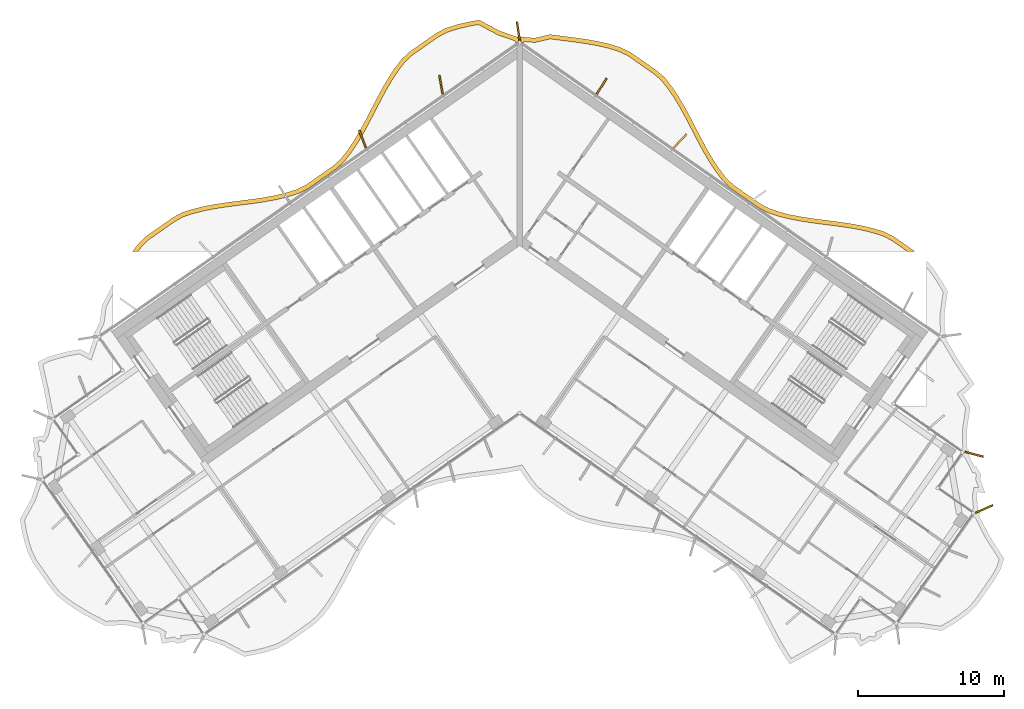
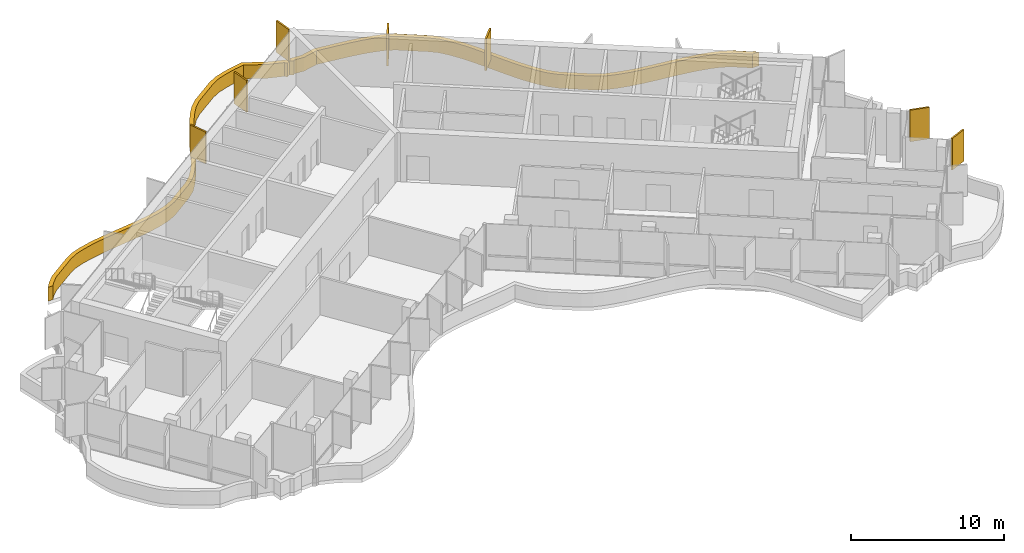
# One storey, part 18 of 18: 8 shading devices.
"""IFC4 building model written with IfcOpenShell, lengths in metres."""

from ifc_helpers import new_model, si_unit, direction, frame, origin, origin_2d, place, context, subcontext, project, spatial, polyline, rectangle, outline, extrude, material, layer, layer_set, type_object, element, save


model = new_model("IFC4")

# Units and contexts
model_context = context("Model", 3, precision=1e-05, world=origin(), true_north=direction((0.0, 1.0)))
body_context = subcontext(model_context, "Body", "Model", "MODEL_VIEW")
ifc_project = project(units=[si_unit("LENGTHUNIT", "METRE"), si_unit("AREAUNIT", "SQUARE_METRE"), si_unit("VOLUMEUNIT", "CUBIC_METRE"), si_unit("PLANEANGLEUNIT", "RADIAN"), si_unit("MASSUNIT", "GRAM", prefix="KILO")], contexts=[model_context])

# Site, building, storey
site_placement = place(None, origin())
site = spatial("IfcSite", under=ifc_project, at=site_placement, CompositionType="ELEMENT")
building_placement = place(site_placement, origin())
building = spatial("IfcBuilding", under=site, at=building_placement, Name="Tel Ilan Convention Tower", CompositionType="ELEMENT")
storey_placement = place(building_placement, frame((0.0, 0.0, 260.5)))
storey = spatial("IfcBuildingStorey", under=building, at=storey_placement, Name="L61", CompositionType="ELEMENT", Elevation=260.5)

# Shading devices
ifc_material_1 = material(Name="Aluminium, bronze anodised", Category="aluminium")
ifc_layer_1 = layer(ifc_material_1, 0.1201171875)
ifc_layer_set_1 = layer_set([ifc_layer_1], Name="FIN BRONZE 1300x120")
shading_device_type_1 = type_object("IfcShadingDeviceType", Name="FIN BRONZE 1300x120", PredefinedType="USERDEFINED", material=ifc_layer_set_1)
for number, where, z_axis, x_axis, name in (
    (1, (10.981201171875, 5.924072265625, 1.10009765625), (0.0, 0.0, 1.0), (0.686241637865, 0.727373641577, 0.0), "FIN"),
    (2, (5.61328125, 9.683349609375, 1.10009765625), (0.0, 0.0, 1.0), (0.533204432798, 0.845986425922, 0.0), "FIN"),
    (3, (-0.09423828125, 13.469482421875, 1.10009765625), (0.0, 0.0, 1.0), (-0.144931859301, 0.989441638582, 0.0), "FIN"),
    (4, (-5.392333984375, 9.791748046875, 1.10009765625), (0.0, 0.0, 1.0), (-0.173648177667, 0.984807753012, 0.0), "FIN"),
    (5, (-10.7724609375, 6.062255859375, 1.10009765625), (0.0, 0.0, 1.0), (-0.360177724803, 0.932883704733, 0.0), "FIN"),
    (6, (31.842529296875, -19.28564453125, 1.10009765625), (0.0, 0.0, 1.0), (0.914332505315, 0.404964282034, 0.0), "FIN"),
    (7, (31.150146484375, -15.536865234375, 1.10009765625), (0.0, 0.0, 1.0), (0.965925826289, -0.258819045103, 0.0), "FIN"),
):
    element("IfcShadingDevice", number, at=place(storey_placement, frame(where, z_axis=z_axis, x_axis=x_axis)), inside=storey, type_object=shading_device_type_1, Name=name, ObjectType="FIN", PredefinedType="USERDEFINED", context=body_context, shape_type="SweptSolid", body=[
        extrude(rectangle(XDim=1.300048828125, YDim=0.1201171875, at=origin_2d()), origin(), (0.0, 0.0, 1.0), 2.52001953125),
    ])
ifc_material_2 = material(Name="Aluminium, bronze anodised", Category="aluminium")
ifc_layer_2 = layer(ifc_material_2, 0.300048828125)
ifc_layer_set_2 = layer_set([ifc_layer_2], Name="LOUVRE BAND 300x1100")
shading_device_type_2 = type_object("IfcShadingDeviceType", Name="LOUVRE BAND 300x1100", PredefinedType="USERDEFINED", material=ifc_layer_set_2)
shading_device_placement = place(storey_placement, origin())
element("IfcShadingDevice", 8, at=shading_device_placement, inside=storey, type_object=shading_device_type_2, Name="LOUVRE BAND 46.02", ObjectType="LOUVRE", PredefinedType="USERDEFINED", context=body_context, shape_type="SweptSolid", body=[
    extrude(outline(polyline([(-26.1787109375, -1.1572265625), (-26.535888671875, -1.631591796875), (-26.160400390625, -1.631591796875), (-25.951416015625, -1.35400390625), (-25.457275390625, -0.856689453125), (-23.680908203125, 0.38720703125), (-23.075439453125, 0.7314453125), (-22.38525390625, 0.962158203125), (-21.640625, 1.14990234375), (-20.86181640625, 1.298828125), (-20.0576171875, 1.420166015625), (-18.409423828125, 1.63232421875), (-17.585205078125, 1.750732421875), (-16.773193359375, 1.89599609375), (-15.982666015625, 2.081298828125), (-15.212646484375, 2.320556640625), (-14.499267578125, 2.665771484375), (-12.656005859375, 3.956298828125), (-12.066162109375, 4.474609375), (-11.566650390625, 5.110107421875), (-11.115234375, 5.78173828125), (-10.696044921875, 6.4892578125), (-10.29931640625, 7.220458984375), (-9.535400390625, 8.69873046875), (-9.148681640625, 9.41796875), (-8.746337890625, 10.106201171875), (-8.320556640625, 10.751220703125), (-7.871337890625, 11.33544921875), (-7.3623046875, 11.813720703125), (-5.585693359375, 13.0576171875), (-4.96826171875, 13.382568359375), (-4.27001953125, 13.607666015625), (-3.520751953125, 13.78955078125), (-2.834228515625, 13.914794921875), (-1.477294921875, 13.19677734375), (-0.362060546875, 12.81201171875), (-0.24609375, 12.646728515625), (0.0, 12.818115234375), (0.24609375, 12.646728515625), (0.318603515625, 12.75), (1.040771484375, 12.687744140625), (2.10400390625, 12.9296875), (3.699462890625, 12.72509765625), (4.510009765625, 12.60986328125), (5.2978515625, 12.47119140625), (6.054443359375, 12.297119140625), (6.765625, 12.080078125), (7.40185546875, 11.785888671875), (9.17822265625, 10.5419921875), (9.708740234375, 10.0908203125), (10.16162109375, 9.521240234375), (10.5927734375, 8.885498046875), (10.9990234375, 8.204833984375), (11.38818359375, 7.49072265625), (12.151123046875, 6.014404296875), (12.54443359375, 5.2802734375), (12.958740234375, 4.567138671875), (13.403076171875, 3.8876953125), (13.891357421875, 3.245849609375), (14.459716796875, 2.693359375), (16.302978515625, 1.40283203125), (16.991455078125, 1.02587890625), (17.759521484375, 0.773681640625), (18.544921875, 0.579345703125), (19.353271484375, 0.42724609375), (20.176025390625, 0.3046875), (21.826416015625, 0.092529296875), (22.634765625, -0.025146484375), (23.4189453125, -0.167724609375), (24.1708984375, -0.34716796875), (24.873291015625, -0.569580078125), (25.496826171875, -0.88427734375), (26.56396484375, -1.631591796875), (27.087158203125, -1.631591796875), (25.6513671875, -0.626220703125), (24.987060546875, -0.290771484375), (24.2509765625, -0.057861328125), (23.480712890625, 0.1259765625), (22.68310546875, 0.27099609375), (21.8671875, 0.3896484375), (20.21728515625, 0.601806640625), (19.4033203125, 0.72314453125), (18.60888671875, 0.87255859375), (17.842529296875, 1.062255859375), (17.111328125, 1.30224609375), (16.46142578125, 1.657958984375), (14.6513671875, 2.92529296875), (14.116455078125, 3.4453125), (13.648193359375, 4.060791015625), (13.214111328125, 4.724609375), (12.806396484375, 5.426513671875), (12.416748046875, 6.154052734375), (11.653076171875, 7.631591796875), (11.259521484375, 8.353515625), (10.845947265625, 9.046875), (10.403564453125, 9.69921875), (9.925537109375, 10.300537109375), (9.36181640625, 10.77978515625), (7.552001953125, 12.047119140625), (6.872802734375, 12.361083984375), (6.132080078125, 12.587158203125), (5.357666015625, 12.765380859375), (4.55712890625, 12.90625), (3.739501953125, 13.0224609375), (2.08935546875, 13.234130859375), (1.02001953125, 12.99072265625), (0.168701171875, 13.059326171875), (0.11474609375, 13.09521484375), (0.0, 13.1181640625), (-0.11474609375, 13.09521484375), (-0.168701171875, 13.059326171875), (-1.357666015625, 13.472900390625), (-2.785888671875, 14.228515625), (-3.5830078125, 14.083251953125), (-4.3515625, 13.896484375), (-5.0849609375, 13.66015625), (-5.7421875, 13.314453125), (-7.552001953125, 12.047119140625), (-8.09423828125, 11.53759765625), (-8.56494140625, 10.925537109375), (-9.001220703125, 10.264404296875), (-9.410400390625, 9.564697265625), (-9.801025390625, 8.838623046875), (-10.564453125, 7.36083984375), (-10.95703125, 6.63720703125), (-11.369140625, 5.94189453125), (-11.809326171875, 5.28662109375), (-12.284912109375, 4.681640625), (-12.841552734375, 4.192626953125), (-14.6513671875, 2.92529296875), (-15.3232421875, 2.6005859375), (-16.0615234375, 2.370849609375), (-16.833984375, 2.18994140625), (-17.6328125, 2.046875), (-18.44970703125, 1.9296875), (-20.099365234375, 1.71728515625), (-20.91259765625, 1.594482421875), (-21.705322265625, 1.44287109375), (-22.4697265625, 1.250244140625), (-23.1982421875, 1.0068359375), (-23.84130859375, 0.64111328125), (-25.6513671875, -0.626220703125), (-26.1787109375, -1.1572265625)])), origin(), (0.0, 0.0, 1.0), 1.10009765625),
])

save(model, "model.ifc")
